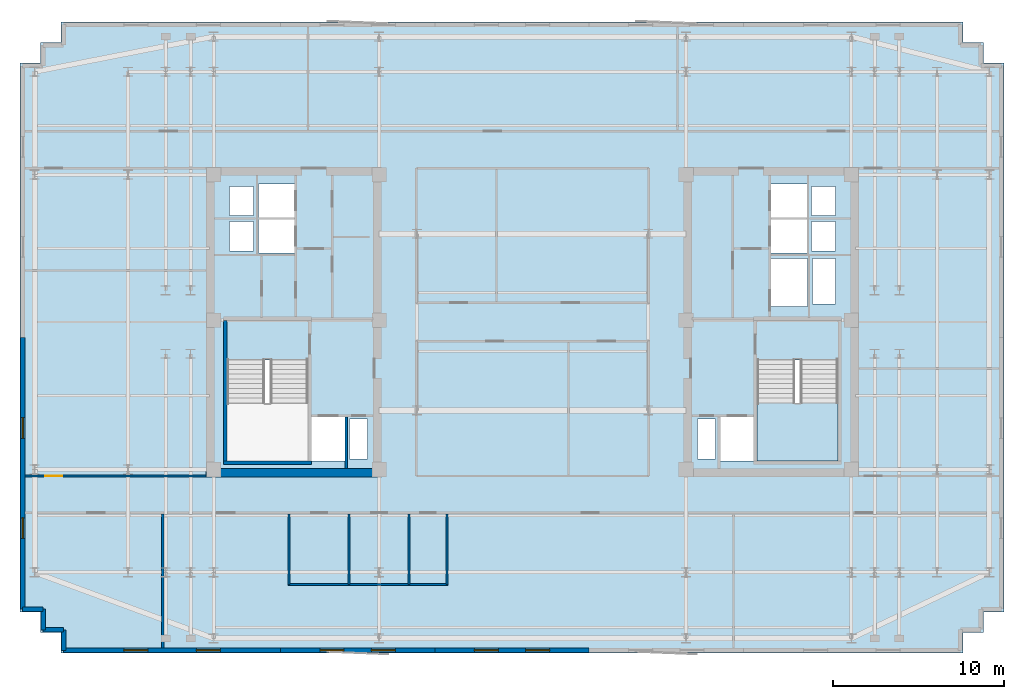
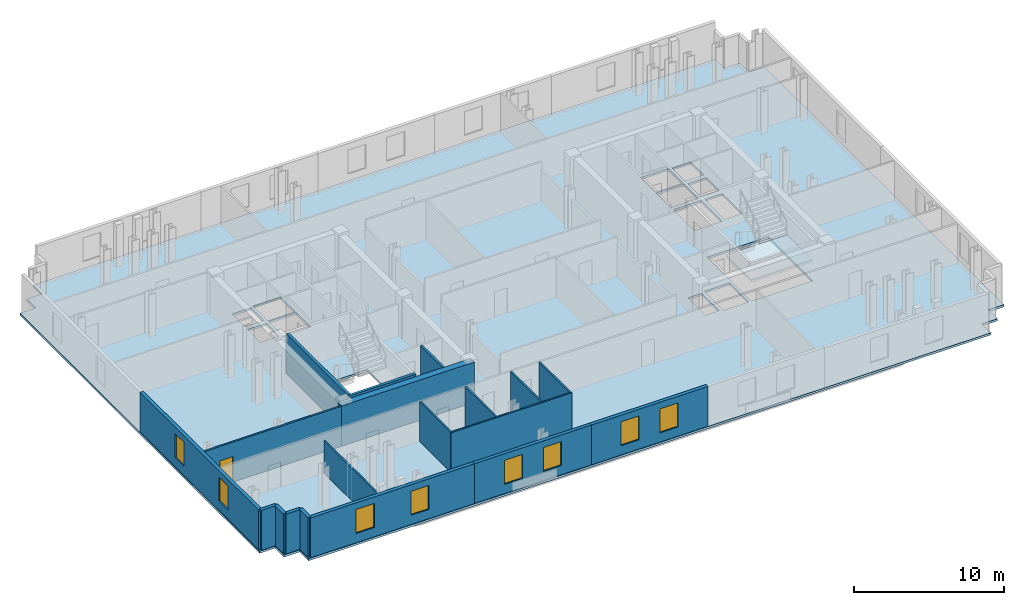
# One storey, part 3 of 9: 19 walls, 8 windows, 2 slabs, 1 door, 9 openings, 1 element without a shape of its own.
"""IFC4 building model written with IfcOpenShell, lengths in metres."""

from ifc_helpers import new_model, si_unit, direction, frame, frame_2d, origin, place, context, subcontext, project, spatial, polyline, rectangle, outline, extrude, material, layer, layer_set, type_object, element, fill, aggregate, save


model = new_model("IFC4")

# Units and contexts
model_context = context("Model", 3, precision=1e-05, world=origin(), true_north=direction((0.0, 1.0)))
body_context = subcontext(model_context, "Body", "Model", "MODEL_VIEW")
ifc_project = project(units=[si_unit("LENGTHUNIT", "METRE"), si_unit("AREAUNIT", "SQUARE_METRE"), si_unit("VOLUMEUNIT", "CUBIC_METRE"), si_unit("PLANEANGLEUNIT", "RADIAN"), si_unit("MASSUNIT", "GRAM", prefix="KILO")], contexts=[model_context])

# Site, building, storey
site_placement = place(None, origin())
site = spatial("IfcSite", under=ifc_project, at=site_placement, CompositionType="ELEMENT")
building_placement = place(site_placement, origin())
building = spatial("IfcBuilding", under=site, at=building_placement, Name="Velakula Bourse", CompositionType="ELEMENT")
storey_placement = place(building_placement, frame((0.0, 0.0, 211.949951171875)))
storey = spatial("IfcBuildingStorey", under=building, at=storey_placement, Name="L57", CompositionType="ELEMENT", Elevation=211.949951171875)

# Stair, slab
ifc_material_1 = material(Name="Concrete M45 (fck 45 MPa)", Category="concrete")
stair_type = type_object("IfcStairType", Name="STR-DOG-390", PredefinedType="HALF_TURN_STAIR", material=ifc_material_1)
stair_placement = place(storey_placement, origin())
stair = element("IfcStair", 1, at=stair_placement, inside=storey, type_object=stair_type, Name="L57 East Core Exit Stair ST-E1", PredefinedType="HALF_TURN_STAIR")
ifc_layer_1 = layer(ifc_material_1, 0.199951171875, Name="Concrete M45 (fck 45 MPa)", Category="concrete")
ifc_layer_set_1 = layer_set([ifc_layer_1], Name="Concrete M45 (fck 45 MPa)")
slab_type_1 = type_object("IfcSlabType", Name="SLB-STAIR-LND-200", PredefinedType="LANDING", material=ifc_layer_set_1)
slab_1_placement = place(storey_placement, frame((0.0, 0.0, 1.525146484375)))
slab_1 = element("IfcSlab", 2, at=slab_1_placement, type_object=slab_type_1, Name="ST-E1 landing 1", PredefinedType="LANDING", context=body_context, shape_type="SweptSolid", body=[
    extrude(outline(polyline([(13.10009765625, -4.719970703125), (13.10009765625, -8.10009765625), (17.820068359375, -8.10009765625), (17.820068359375, -4.719970703125), (13.10009765625, -4.719970703125)])), origin(), (0.0, 0.0, 1.0), 0.199951171875),
])
aggregate(stair, [slab_1])

# Slab
ifc_material_2 = material(Name="Concrete M50 (fck 50 MPa)", Category="concrete")
ifc_layer_2 = layer(ifc_material_2, 0.179931640625, Name="Concrete M50 (fck 50 MPa)", Category="concrete")
ifc_layer_set_2 = layer_set([ifc_layer_2], Name="Concrete M50 (fck 50 MPa)")
slab_type_2 = type_object("IfcSlabType", Name="SLB-TWR-180", PredefinedType="FLOOR", material=ifc_layer_set_2)
slab_2_placement = place(storey_placement, frame((0.0, 0.0, -0.179931640625)))
element("IfcSlab", 3, at=slab_2_placement, inside=storey, type_object=slab_type_2, Name="L57 Suspended Structural Floor Slab", PredefinedType="FLOOR", context=body_context, shape_type="SweptSolid", body=[
    extrude(outline(polyline([(-27.5, -19.300048828125), (25.10009765625, -19.300048828125), (25.10009765625, -18.10009765625), (26.300048828125, -18.10009765625), (26.300048828125, -16.89990234375), (27.5, -16.89990234375), (27.5, 15.10009765625), (26.300048828125, 15.10009765625), (26.300048828125, 16.300048828125), (25.10009765625, 16.300048828125), (25.10009765625, 17.5), (-27.5, 17.5), (-27.5, 16.300048828125), (-28.699951171875, 16.300048828125), (-28.699951171875, 15.10009765625), (-29.89990234375, 15.10009765625), (-29.89990234375, -16.89990234375), (-28.699951171875, -16.89990234375), (-28.699951171875, -18.10009765625), (-27.5, -18.10009765625), (-27.5, -19.300048828125)]), holes=[polyline([(-17.820068359375, -8.10009765625), (-13.10009765625, -8.10009765625), (-13.10009765625, -2.199951171875), (-17.820068359375, -2.199951171875), (-17.820068359375, -8.10009765625)]), polyline([(13.10009765625, -8.10009765625), (17.820068359375, -8.10009765625), (17.820068359375, -2.199951171875), (13.10009765625, -2.199951171875), (13.10009765625, -8.10009765625)]), polyline([(-12.89990234375, -8.10009765625), (-10.949951171875, -8.10009765625), (-10.949951171875, -5.550048828125), (-12.89990234375, -5.550048828125), (-12.89990234375, -8.10009765625)]), polyline([(10.949951171875, -8.10009765625), (12.89990234375, -8.10009765625), (12.89990234375, -5.550048828125), (10.949951171875, -5.550048828125), (10.949951171875, -8.10009765625)]), polyline([(13.89990234375, 0.919921875), (16.050048828125, 0.919921875), (16.050048828125, 3.719970703125), (13.89990234375, 3.719970703125), (13.89990234375, 0.919921875)]), polyline([(-10.679931640625, -7.97998046875), (-9.6201171875, -7.97998046875), (-9.6201171875, -5.669921875), (-10.679931640625, -5.669921875), (-10.679931640625, -7.97998046875)]), polyline([(-17.679931640625, 4.139892578125), (-16.27001953125, 4.139892578125), (-16.27001953125, 5.85009765625), (-17.679931640625, 5.85009765625), (-17.679931640625, 4.139892578125)]), polyline([(-17.679931640625, 6.2099609375), (-16.27001953125, 6.2099609375), (-16.27001953125, 7.919921875), (-17.679931640625, 7.919921875), (-17.679931640625, 6.2099609375)]), polyline([(9.6201171875, -7.97998046875), (10.679931640625, -7.97998046875), (10.679931640625, -5.669921875), (9.6201171875, -5.669921875), (9.6201171875, -7.97998046875)]), polyline([(16.27001953125, 4.139892578125), (17.679931640625, 4.139892578125), (17.679931640625, 5.85009765625), (16.27001953125, 5.85009765625), (16.27001953125, 4.139892578125)]), polyline([(16.27001953125, 6.2099609375), (17.679931640625, 6.2099609375), (17.679931640625, 7.919921875), (16.27001953125, 7.919921875), (16.27001953125, 6.2099609375)]), polyline([(16.320068359375, 1.0400390625), (17.679931640625, 1.0400390625), (17.679931640625, 3.699951171875), (16.320068359375, 3.699951171875), (16.320068359375, 1.0400390625)]), polyline([(-16.0, 4.02001953125), (-13.89990234375, 4.02001953125), (-13.89990234375, 5.969970703125), (-16.0, 5.969970703125), (-16.0, 4.02001953125)]), polyline([(-16.0, 6.090087890625), (-13.89990234375, 6.090087890625), (-13.89990234375, 8.0400390625), (-16.0, 8.0400390625), (-16.0, 6.090087890625)]), polyline([(13.89990234375, 4.02001953125), (16.0, 4.02001953125), (16.0, 5.969970703125), (13.89990234375, 5.969970703125), (13.89990234375, 4.02001953125)]), polyline([(13.89990234375, 6.090087890625), (16.0, 6.090087890625), (16.0, 8.0400390625), (13.89990234375, 8.0400390625), (13.89990234375, 6.090087890625)])]), origin(), (0.0, 0.0, 1.0), 0.179931640625),
])

# Walls
ifc_layer_3 = layer(ifc_material_2, 0.2099609375, Name="Concrete M50 (fck 50 MPa)", Category="concrete")
ifc_layer_set_3 = layer_set([ifc_layer_3], Name="Concrete M50 (fck 50 MPa)")
wall_type_1 = type_object("IfcWallType", Name="WL-CORE-210", PredefinedType="SHEAR", material=ifc_layer_set_3)
wall_1_placement = place(storey_placement, frame((-17.925048828125, -8.10009765625, 0.0), z_axis=(0.0, 0.0, 1.0), x_axis=(0.0, 1.0, 0.0)))
element("IfcWall", 4, at=wall_1_placement, inside=storey, type_object=wall_type_1, Name="L57 Core W Stairwell Shear Wall OUT", PredefinedType="SHEAR", context=body_context, shape_type="SweptSolid", body=[
    extrude(rectangle(XDim=8.2001953125, YDim=0.2099609375, at=frame_2d((4.10009765625, 0.0))), origin(), (0.0, 0.0, 1.0), 3.27001953125),
])
wall_2_placement = place(storey_placement, frame((-18.030029296875, -8.205078125, 0.0), z_axis=(0.0, 0.0, 1.0), x_axis=(1.0, 0.0, 0.0)))
element("IfcWall", 5, at=wall_2_placement, inside=storey, type_object=wall_type_1, Name="L57 Core W Stairwell Shear Wall S", PredefinedType="SHEAR", context=body_context, shape_type="SweptSolid", body=[
    extrude(rectangle(XDim=5.14013671875, YDim=0.2099609375, at=frame_2d((2.570068359375, 0.0))), origin(), (0.0, 0.0, 1.0), 3.27001953125),
])
ifc_layer_4 = layer(ifc_material_2, 0.5, Name="Concrete M50 (fck 50 MPa)", Category="concrete")
ifc_layer_set_4 = layer_set([ifc_layer_4], Name="Concrete M50 (fck 50 MPa)")
wall_type_2 = type_object("IfcWallType", Name="WL-CORE-500", PredefinedType="SHEAR", material=ifc_layer_set_4)
wall_3_placement = place(storey_placement, frame((-19.050048828125, -8.800048828125, 0.0), z_axis=(0.0, 0.0, 1.0), x_axis=(1.0, 0.0, 0.0)))
element("IfcWall", 6, at=wall_3_placement, inside=storey, type_object=wall_type_2, Name="L57 Core W Shear Wall S", PredefinedType="SHEAR", context=body_context, shape_type="SweptSolid", body=[
    extrude(rectangle(XDim=10.25, YDim=0.5, at=frame_2d((5.125, 0.0))), origin(), (0.0, 0.0, 1.0), 3.27001953125),
])

# Wall, openings, windows
ifc_material_3 = material(Name="Buff kilned clay facing brick masonry", Category="masonry")
ifc_layer_5 = layer(ifc_material_3, 0.260009765625, Name="Buff kilned clay facing brick masonry", Category="masonry")
ifc_layer_set_5 = layer_set([ifc_layer_5], Name="Buff kilned clay facing brick masonry")
wall_type_3 = type_object("IfcWallType", Name="WL-EXT-BRK-260", PredefinedType="STANDARD", material=ifc_layer_set_5)
wall_4_placement = place(storey_placement, frame((-14.699951171875, -19.14990234375, 0.0), z_axis=(0.0, 0.0, 1.0), x_axis=(-1.0, 0.0, 0.0)))
wall_4 = element("IfcWall", 7, at=wall_4_placement, inside=storey, type_object=wall_type_3, Name="L57 S Brick Spandrel Wall B1", PredefinedType="STANDARD", context=body_context, shape_type="SweptSolid", body=[
    extrude(rectangle(XDim=12.650146484375, YDim=0.260009765625, at=frame_2d((6.3251953125, 0.0))), origin(), (0.0, 0.0, 1.0), 3.25),
])
opening_1_placement = place(wall_4_placement, frame((3.5166015625, 0.0, 0.760009765625)))
opening_1 = element("IfcOpeningElement", 8, at=opening_1_placement, cuts=wall_4, Name="Opening W-03", PredefinedType="OPENING", context=body_context, shape_type="SweptSolid", body=[
    extrude(rectangle(XDim=1.39990234375, YDim=1.949951171875, at=frame_2d((0.699951171875, 0.97509765625))), frame((0.0, 0.139892578125, 0.0), z_axis=(0.0, -1.0, 0.0), x_axis=(1.0, 0.0, 0.0)), (0.0, 0.0, 1.0), 0.280029296875),
])
opening_2_placement = place(wall_4_placement, frame((7.7333984375, 0.0, 0.760009765625)))
opening_2 = element("IfcOpeningElement", 9, at=opening_2_placement, cuts=wall_4, Name="Opening W-03", PredefinedType="OPENING", context=body_context, shape_type="SweptSolid", body=[
    extrude(rectangle(XDim=1.39990234375, YDim=1.949951171875, at=frame_2d((0.699951171875, 0.97509765625))), frame((0.0, 0.139892578125, 0.0), z_axis=(0.0, -1.0, 0.0), x_axis=(1.0, 0.0, 0.0)), (0.0, 0.0, 1.0), 0.280029296875),
])
ifc_material_4 = material(Name="Double-glazed solar-control Low-E glass", Category="glass")
window_type_1 = type_object("IfcWindowType", Name="WIN-TWR-1400x2100", PartitioningType="SINGLE_PANEL", PredefinedType="WINDOW", material=ifc_material_4)
window_1_placement = place(opening_1_placement, origin())
window_1 = element("IfcWindow", 10, at=window_1_placement, inside=storey, type_object=window_type_1, Name="L57 Deep-Set Recessed Window 1", OverallHeight=1.949951171875, OverallWidth=1.39990234375, PartitioningType="SINGLE_PANEL", PredefinedType="WINDOW", context=body_context, shape_type="SweptSolid", body=[
    extrude(rectangle(XDim=1.39990234375, YDim=1.949951171875, at=frame_2d((0.699951171875, 0.97509765625))), frame((0.0, 0.030029296875, 0.0), z_axis=(0.0, -1.0, 0.0), x_axis=(1.0, 0.0, 0.0)), (0.0, 0.0, 1.0), 0.06005859375),
])
fill(opening_1, window_1)
window_2_placement = place(opening_2_placement, origin())
window_2 = element("IfcWindow", 11, at=window_2_placement, inside=storey, type_object=window_type_1, Name="L57 Deep-Set Recessed Window 2", OverallHeight=1.949951171875, OverallWidth=1.39990234375, PartitioningType="SINGLE_PANEL", PredefinedType="WINDOW", context=body_context, shape_type="SweptSolid", body=[
    extrude(rectangle(XDim=1.39990234375, YDim=1.949951171875, at=frame_2d((0.699951171875, 0.97509765625))), frame((0.0, 0.030029296875, 0.0), z_axis=(0.0, -1.0, 0.0), x_axis=(1.0, 0.0, 0.0)), (0.0, 0.0, 1.0), 0.06005859375),
])
fill(opening_2, window_2)

wall_5_placement = place(storey_placement, frame((-5.699951171875, -19.14990234375, 0.0), z_axis=(0.0, 0.0, 1.0), x_axis=(-1.0, 0.0, 0.0)))
wall_5 = element("IfcWall", 12, at=wall_5_placement, inside=storey, type_object=wall_type_3, Name="L57 S Brick Spandrel Wall B2", PredefinedType="STANDARD", context=body_context, shape_type="SweptSolid", body=[
    extrude(rectangle(XDim=9.0, YDim=0.260009765625, at=frame_2d((4.5, 0.0))), origin(), (0.0, 0.0, 1.0), 3.25),
])
opening_3_placement = place(wall_5_placement, frame((2.300048828125, 0.0, 0.760009765625)))
opening_3 = element("IfcOpeningElement", 13, at=opening_3_placement, cuts=wall_5, Name="Opening W-03", PredefinedType="OPENING", context=body_context, shape_type="SweptSolid", body=[
    extrude(rectangle(XDim=1.39990234375, YDim=1.949951171875, at=frame_2d((0.699951171875, 0.97509765625))), frame((0.0, 0.139892578125, 0.0), z_axis=(0.0, -1.0, 0.0), x_axis=(1.0, 0.0, 0.0)), (0.0, 0.0, 1.0), 0.280029296875),
])
opening_4_placement = place(wall_5_placement, frame((5.300048828125, 0.0, 0.760009765625)))
opening_4 = element("IfcOpeningElement", 14, at=opening_4_placement, cuts=wall_5, Name="Opening W-03", PredefinedType="OPENING", context=body_context, shape_type="SweptSolid", body=[
    extrude(rectangle(XDim=1.39990234375, YDim=1.949951171875, at=frame_2d((0.699951171875, 0.97509765625))), frame((0.0, 0.139892578125, 0.0), z_axis=(0.0, -1.0, 0.0), x_axis=(1.0, 0.0, 0.0)), (0.0, 0.0, 1.0), 0.280029296875),
])
window_3_placement = place(opening_3_placement, origin())
window_3 = element("IfcWindow", 15, at=window_3_placement, inside=storey, type_object=window_type_1, Name="L57 Deep-Set Recessed Window 1", OverallHeight=1.949951171875, OverallWidth=1.39990234375, PartitioningType="SINGLE_PANEL", PredefinedType="WINDOW", context=body_context, shape_type="SweptSolid", body=[
    extrude(rectangle(XDim=1.39990234375, YDim=1.949951171875, at=frame_2d((0.699951171875, 0.97509765625))), frame((0.0, 0.030029296875, 0.0), z_axis=(0.0, -1.0, 0.0), x_axis=(1.0, 0.0, 0.0)), (0.0, 0.0, 1.0), 0.06005859375),
])
fill(opening_3, window_3)
window_4_placement = place(opening_4_placement, origin())
window_4 = element("IfcWindow", 16, at=window_4_placement, inside=storey, type_object=window_type_1, Name="L57 Deep-Set Recessed Window 2", OverallHeight=1.949951171875, OverallWidth=1.39990234375, PartitioningType="SINGLE_PANEL", PredefinedType="WINDOW", context=body_context, shape_type="SweptSolid", body=[
    extrude(rectangle(XDim=1.39990234375, YDim=1.949951171875, at=frame_2d((0.699951171875, 0.97509765625))), frame((0.0, 0.030029296875, 0.0), z_axis=(0.0, -1.0, 0.0), x_axis=(1.0, 0.0, 0.0)), (0.0, 0.0, 1.0), 0.06005859375),
])
fill(opening_4, window_4)

wall_6_placement = place(storey_placement, frame((3.300048828125, -19.14990234375, 0.0), z_axis=(0.0, 0.0, 1.0), x_axis=(-1.0, 0.0, 0.0)))
wall_6 = element("IfcWall", 17, at=wall_6_placement, inside=storey, type_object=wall_type_3, Name="L57 S Brick Spandrel Wall B3", PredefinedType="STANDARD", context=body_context, shape_type="SweptSolid", body=[
    extrude(rectangle(XDim=9.0, YDim=0.260009765625, at=frame_2d((4.5, 0.0))), origin(), (0.0, 0.0, 1.0), 3.25),
])
opening_5_placement = place(wall_6_placement, frame((2.300048828125, 0.0, 0.760009765625)))
opening_5 = element("IfcOpeningElement", 18, at=opening_5_placement, cuts=wall_6, Name="Opening W-03", PredefinedType="OPENING", context=body_context, shape_type="SweptSolid", body=[
    extrude(rectangle(XDim=1.39990234375, YDim=1.949951171875, at=frame_2d((0.699951171875, 0.97509765625))), frame((0.0, 0.139892578125, 0.0), z_axis=(0.0, -1.0, 0.0), x_axis=(1.0, 0.0, 0.0)), (0.0, 0.0, 1.0), 0.280029296875),
])
opening_6_placement = place(wall_6_placement, frame((5.300048828125, 0.0, 0.760009765625)))
opening_6 = element("IfcOpeningElement", 19, at=opening_6_placement, cuts=wall_6, Name="Opening W-03", PredefinedType="OPENING", context=body_context, shape_type="SweptSolid", body=[
    extrude(rectangle(XDim=1.39990234375, YDim=1.949951171875, at=frame_2d((0.699951171875, 0.97509765625))), frame((0.0, 0.139892578125, 0.0), z_axis=(0.0, -1.0, 0.0), x_axis=(1.0, 0.0, 0.0)), (0.0, 0.0, 1.0), 0.280029296875),
])
window_5_placement = place(opening_5_placement, origin())
window_5 = element("IfcWindow", 20, at=window_5_placement, inside=storey, type_object=window_type_1, Name="L57 Deep-Set Recessed Window 1", OverallHeight=1.949951171875, OverallWidth=1.39990234375, PartitioningType="SINGLE_PANEL", PredefinedType="WINDOW", context=body_context, shape_type="SweptSolid", body=[
    extrude(rectangle(XDim=1.39990234375, YDim=1.949951171875, at=frame_2d((0.699951171875, 0.97509765625))), frame((0.0, 0.030029296875, 0.0), z_axis=(0.0, -1.0, 0.0), x_axis=(1.0, 0.0, 0.0)), (0.0, 0.0, 1.0), 0.06005859375),
])
fill(opening_5, window_5)
window_6_placement = place(opening_6_placement, origin())
window_6 = element("IfcWindow", 21, at=window_6_placement, inside=storey, type_object=window_type_1, Name="L57 Deep-Set Recessed Window 2", OverallHeight=1.949951171875, OverallWidth=1.39990234375, PartitioningType="SINGLE_PANEL", PredefinedType="WINDOW", context=body_context, shape_type="SweptSolid", body=[
    extrude(rectangle(XDim=1.39990234375, YDim=1.949951171875, at=frame_2d((0.699951171875, 0.97509765625))), frame((0.0, 0.030029296875, 0.0), z_axis=(0.0, -1.0, 0.0), x_axis=(1.0, 0.0, 0.0)), (0.0, 0.0, 1.0), 0.06005859375),
])
fill(opening_6, window_6)

wall_7_placement = place(storey_placement, frame((-29.75, -16.75, 0.0), z_axis=(0.0, 0.0, 1.0), x_axis=(0.0, 1.0, 0.0)))
wall_7 = element("IfcWall", 22, at=wall_7_placement, inside=storey, type_object=wall_type_3, Name="L57 W Brick End Wall W1", PredefinedType="STANDARD", context=body_context, shape_type="SweptSolid", body=[
    extrude(rectangle(XDim=15.85009765625, YDim=0.260009765625, at=frame_2d((7.925048828125, 0.0))), origin(), (0.0, 0.0, 1.0), 3.25),
])
opening_7_placement = place(wall_7_placement, frame((4.13330078125, 0.0, 0.760009765625)))
opening_7 = element("IfcOpeningElement", 23, at=opening_7_placement, cuts=wall_7, Name="Opening W-04", PredefinedType="OPENING", context=body_context, shape_type="SweptSolid", body=[
    extrude(rectangle(XDim=1.199951171875, YDim=1.949951171875, at=frame_2d((0.60009765625, 0.97509765625))), frame((0.0, 0.139892578125, 0.0), z_axis=(0.0, -1.0, 0.0), x_axis=(1.0, 0.0, 0.0)), (0.0, 0.0, 1.0), 0.280029296875),
])
opening_8_placement = place(wall_7_placement, frame((9.966796875, 0.0, 0.760009765625)))
opening_8 = element("IfcOpeningElement", 24, at=opening_8_placement, cuts=wall_7, Name="Opening W-04", PredefinedType="OPENING", context=body_context, shape_type="SweptSolid", body=[
    extrude(rectangle(XDim=1.199951171875, YDim=1.949951171875, at=frame_2d((0.60009765625, 0.97509765625))), frame((0.0, 0.139892578125, 0.0), z_axis=(0.0, -1.0, 0.0), x_axis=(1.0, 0.0, 0.0)), (0.0, 0.0, 1.0), 0.280029296875),
])
window_type_2 = type_object("IfcWindowType", Name="WIN-TWR-1200x2100", PartitioningType="SINGLE_PANEL", PredefinedType="WINDOW", material=ifc_material_4)
window_7_placement = place(opening_7_placement, origin())
window_7 = element("IfcWindow", 25, at=window_7_placement, inside=storey, type_object=window_type_2, Name="L57 Deep-Set Recessed Window 1", OverallHeight=1.949951171875, OverallWidth=1.199951171875, PartitioningType="SINGLE_PANEL", PredefinedType="WINDOW", context=body_context, shape_type="SweptSolid", body=[
    extrude(rectangle(XDim=1.199951171875, YDim=1.949951171875, at=frame_2d((0.60009765625, 0.97509765625))), frame((0.0, 0.030029296875, 0.0), z_axis=(0.0, -1.0, 0.0), x_axis=(1.0, 0.0, 0.0)), (0.0, 0.0, 1.0), 0.06005859375),
])
fill(opening_7, window_7)
window_8_placement = place(opening_8_placement, origin())
window_8 = element("IfcWindow", 26, at=window_8_placement, inside=storey, type_object=window_type_2, Name="L57 Deep-Set Recessed Window 2", OverallHeight=1.949951171875, OverallWidth=1.199951171875, PartitioningType="SINGLE_PANEL", PredefinedType="WINDOW", context=body_context, shape_type="SweptSolid", body=[
    extrude(rectangle(XDim=1.199951171875, YDim=1.949951171875, at=frame_2d((0.60009765625, 0.97509765625))), frame((0.0, 0.030029296875, 0.0), z_axis=(0.0, -1.0, 0.0), x_axis=(1.0, 0.0, 0.0)), (0.0, 0.0, 1.0), 0.06005859375),
])
fill(opening_8, window_8)

# Walls
for number, where, z_axis, x_axis, name in (
    (27, (-29.75, -16.75, 0.0), (0.0, 0.0, 1.0), (1.0, 0.0, 0.0), "L57 Serrated Corner Brick Wall SW-1"),
    (28, (-28.550048828125, -16.75, 0.0), (0.0, 0.0, 1.0), (0.0, -1.0, 0.0), "L57 Serrated Corner Brick Wall SW-2"),
    (29, (-28.550048828125, -17.949951171875, 0.0), (0.0, 0.0, 1.0), (1.0, 0.0, 0.0), "L57 Serrated Corner Brick Wall SW-3"),
    (30, (-27.35009765625, -17.949951171875, 0.0), (0.0, 0.0, 1.0), (0.0, -1.0, 0.0), "L57 Serrated Corner Brick Wall SW-4"),
):
    element("IfcWall", number, at=place(storey_placement, frame(where, z_axis=z_axis, x_axis=x_axis)), inside=storey, type_object=wall_type_3, Name=name, PredefinedType="STANDARD", context=body_context, shape_type="SweptSolid", body=[
        extrude(rectangle(XDim=1.199951171875, YDim=0.260009765625, at=frame_2d((0.60009765625, 0.0))), origin(), (0.0, 0.0, 1.0), 3.25),
    ])
ifc_material_5 = material(Name="Fire-rated double-layer gypsum drywall partition", Category="gypsum")
ifc_layer_6 = layer(ifc_material_5, 0.1201171875, Name="Fire-rated double-layer gypsum drywall partition", Category="gypsum")
ifc_layer_set_6 = layer_set([ifc_layer_6], Name="Fire-rated double-layer gypsum drywall partition")
wall_type_4 = type_object("IfcWallType", Name="WL-PART-120", PredefinedType="STANDARD", material=ifc_layer_set_6)
wall_8_placement = place(storey_placement, frame((-14.260009765625, -15.320068359375, 0.0), z_axis=(0.0, 0.0, 1.0), x_axis=(1.0, 0.0, 0.0)))
element("IfcWall", 31, at=wall_8_placement, inside=storey, type_object=wall_type_4, Name="L57 Interior Partition WL-WC-L57-BACK", PredefinedType="STANDARD", context=body_context, shape_type="SweptSolid", body=[
    extrude(rectangle(XDim=9.320068359375, YDim=0.1201171875, at=frame_2d((4.66015625, 0.0))), origin(), (0.0, 0.0, 1.0), 3.25),
])
for number, where, z_axis, x_axis, name in (
    (32, (-14.199951171875, -15.320068359375, 0.0), (0.0, 0.0, 1.0), (0.0, 1.0, 0.0), "L57 Interior Partition WL-WC-L57-V1"),
    (33, (-10.699951171875, -15.320068359375, 0.0), (0.0, 0.0, 1.0), (0.0, 1.0, 0.0), "L57 Interior Partition WL-WC-L57-V2"),
    (34, (-7.199951171875, -15.320068359375, 0.0), (0.0, 0.0, 1.0), (0.0, 1.0, 0.0), "L57 Interior Partition WL-WC-L57-V3"),
    (35, (-5.0, -15.320068359375, 0.0), (0.0, 0.0, 1.0), (0.0, 1.0, 0.0), "L57 Interior Partition WL-WC-L57-V4"),
):
    element("IfcWall", number, at=place(storey_placement, frame(where, z_axis=z_axis, x_axis=x_axis)), inside=storey, type_object=wall_type_4, Name=name, PredefinedType="STANDARD", context=body_context, shape_type="SweptSolid", body=[
        extrude(rectangle(XDim=4.130126953125, YDim=0.1201171875, at=frame_2d((2.06494140625, 0.0))), origin(), (0.0, 0.0, 1.0), 3.25),
    ])
wall_9_placement = place(storey_placement, frame((-21.572998046875, -19.02001953125, 0.0), z_axis=(0.0, 0.0, 1.0), x_axis=(0.0, 1.0, 0.0)))
element("IfcWall", 36, at=wall_9_placement, inside=storey, type_object=wall_type_4, Name="L57 Interior Partition WL-INT-L57-SL-D5", PredefinedType="STANDARD", context=body_context, shape_type="SweptSolid", body=[
    extrude(rectangle(XDim=7.830078125, YDim=0.1201171875, at=frame_2d((3.9150390625, 0.0))), origin(), (0.0, 0.0, 1.0), 2.64501953125),
])

# Wall, opening, door
ifc_layer_7 = layer(ifc_material_5, 0.139892578125, Name="Fire-rated double-layer gypsum drywall partition", Category="gypsum")
ifc_layer_set_7 = layer_set([ifc_layer_7], Name="Fire-rated double-layer gypsum drywall partition")
wall_type_5 = type_object("IfcWallType", Name="WL-PART-140", PredefinedType="STANDARD", material=ifc_layer_set_7)
wall_10_placement = place(storey_placement, frame((-29.6201171875, -8.97998046875, 0.0), z_axis=(0.0, 0.0, 1.0), x_axis=(1.0, 0.0, 0.0)))
wall_10 = element("IfcWall", 37, at=wall_10_placement, inside=storey, type_object=wall_type_5, Name="L57 Interior Partition WL-INT-L57-W-SC", PredefinedType="STANDARD", context=body_context, shape_type="SweptSolid", body=[
    extrude(rectangle(XDim=10.570068359375, YDim=0.139892578125, at=frame_2d((5.28515625, 0.0))), origin(), (0.0, 0.0, 1.0), 3.25),
])
opening_9_placement = place(wall_10_placement, frame((1.191162109375, 0.0, 0.0)))
opening_9 = element("IfcOpeningElement", 38, at=opening_9_placement, cuts=wall_10, Name="Opening D-OF1", PredefinedType="OPENING", context=body_context, shape_type="SweptSolid", body=[
    extrude(rectangle(XDim=1.0, YDim=2.080078125, at=frame_2d((0.5, 1.0400390625))), frame((0.0, 0.079833984375, 0.0), z_axis=(0.0, -1.0, 0.0), x_axis=(1.0, 0.0, 0.0)), (0.0, 0.0, 1.0), 0.159912109375),
])
ifc_material_6 = material(Name="Fire-rated hardwood flush architectural door", Category="wood")
door_type = type_object("IfcDoorType", Name="DR-OFF-1000", OperationType="NOTDEFINED", PredefinedType="DOOR", material=ifc_material_6)
door_placement = place(opening_9_placement, origin())
door = element("IfcDoor", 39, at=door_placement, inside=storey, type_object=door_type, Name="L57 ESG Rating Analytics Workspace Door", OperationType="SINGLE_SWING_RIGHT", OverallHeight=2.080078125, OverallWidth=1.0, PredefinedType="DOOR", context=body_context, shape_type="SweptSolid", body=[
    extrude(rectangle(XDim=1.0, YDim=2.080078125, at=frame_2d((0.5, 1.0400390625))), frame((0.0, 0.02490234375, 0.0), z_axis=(0.0, -1.0, 0.0), x_axis=(1.0, 0.0, 0.0)), (0.0, 0.0, 1.0), 0.050048828125),
])
fill(opening_9, door)

# Wall
ifc_material_7 = material(Name="Autoclaved aerated concrete blockwork masonry", Category="masonry")
ifc_layer_8 = layer(ifc_material_7, 0.14990234375, Name="Autoclaved aerated concrete blockwork masonry", Category="masonry")
ifc_layer_set_8 = layer_set([ifc_layer_8], Name="Autoclaved aerated concrete blockwork masonry")
wall_type_6 = type_object("IfcWallType", Name="WL-SHAFT-150", PredefinedType="STANDARD", material=ifc_layer_set_8)
wall_11_placement = place(storey_placement, frame((-10.875, -8.550048828125, 0.0), z_axis=(0.0, 0.0, 1.0), x_axis=(0.0, 1.0, 0.0)))
element("IfcWall", 40, at=wall_11_placement, inside=storey, type_object=wall_type_6, Name="L57 Interior Partition WL-CRW-L57-FR-DIV", PredefinedType="STANDARD", context=body_context, shape_type="SweptSolid", body=[
    extrude(rectangle(XDim=3.0, YDim=0.14990234375, at=frame_2d((1.5, 0.0))), origin(), (0.0, 0.0, 1.0), 3.25),
])

save(model, "model.ifc")
